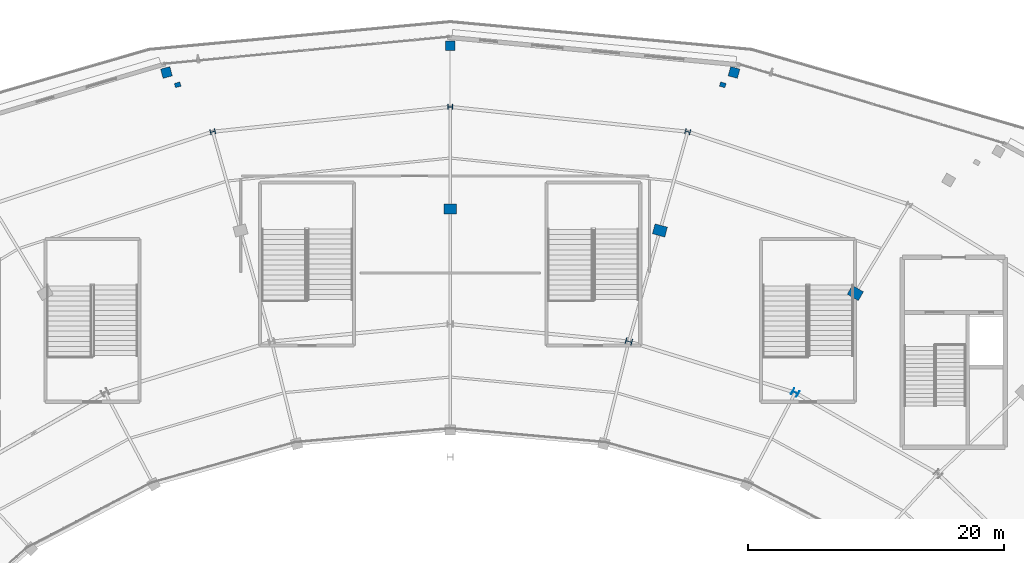
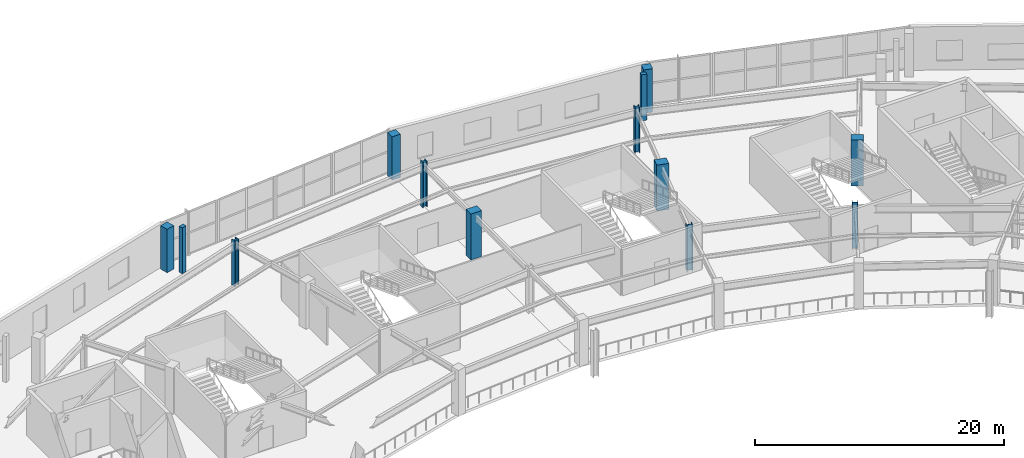
# One storey, part 9 of 107: 13 columns.
"""IFC4 building model written with IfcOpenShell, lengths in metres."""

from ifc_helpers import new_model, si_unit, direction, frame, origin, origin_2d, place, context, subcontext, project, spatial, rectangle, i_section, extrude, material, material_profile, profile_set, type_object, element, save


model = new_model("IFC4")

# Units and contexts
model_context = context("Model", 3, precision=1e-05, world=origin(), true_north=direction((0.0, 1.0)))
body_context = subcontext(model_context, "Body", "Model", "MODEL_VIEW")
ifc_project = project(units=[si_unit("LENGTHUNIT", "METRE"), si_unit("AREAUNIT", "SQUARE_METRE"), si_unit("VOLUMEUNIT", "CUBIC_METRE"), si_unit("PLANEANGLEUNIT", "RADIAN"), si_unit("MASSUNIT", "GRAM", prefix="KILO")], contexts=[model_context])

# Site, building, storey
site_placement = place(None, origin())
site = spatial("IfcSite", under=ifc_project, at=site_placement, CompositionType="ELEMENT")
building_placement = place(site_placement, origin())
building = spatial("IfcBuilding", under=site, at=building_placement, Name="Kalgoora Escarpment Arena", CompositionType="ELEMENT")
storey_placement = place(building_placement, frame((0.0, 0.0, 5.39990234375)))
storey = spatial("IfcBuildingStorey", under=building, at=storey_placement, Name="L01", CompositionType="ELEMENT", Elevation=5.39990234375)

# Columns
ifc_material_1 = material(Name="Structural steel Grade 350 (350 MPa)", Category="steel")
ifc_material_profile_1 = material_profile(ifc_material_1, i_section(OverallWidth=0.39990234375, OverallDepth=0.39990234375, WebThickness=0.01806640625, FlangeThickness=0.031982421875, at=origin_2d()))
ifc_profile_set_1 = profile_set([ifc_material_profile_1], Name="Structural steel Grade 350 (350 MPa)")
column_type_1 = type_object("IfcColumnType", Name="COL-COL-400WC270", PredefinedType="COLUMN", material=ifc_profile_set_1)
for number, where, z_axis, x_axis, name in (
    (1, (110.983154296875, 119.057861328125, 0.0), (0.0, 0.0, 1.0), (0.258819045103, 0.965925826289, 0.0), "L01 structural column COL-RCONC2-R06"),
    (2, (92.39990234375, 121.0, 0.0), (0.0, 0.0, 1.0), (0.0, 1.0, 0.0), "L01 structural column COL-RCONC2-R07"),
    (3, (73.81689453125, 119.057861328125, 0.0), (0.0, 0.0, 1.0), (-0.258819045103, 0.965925826289, 0.0), "L01 structural column COL-RCONC2-R08"),
):
    element("IfcColumn", number, at=place(storey_placement, frame(where, z_axis=z_axis, x_axis=x_axis)), inside=storey, type_object=column_type_1, Name=name, PredefinedType="COLUMN", context=body_context, shape_type="SweptSolid", body=[
        extrude(i_section(OverallWidth=0.39990234375, OverallDepth=0.39990234375, WebThickness=0.01806640625, FlangeThickness=0.031982421875, at=origin_2d()), origin(), (0.0, 0.0, 1.0), 4.5),
    ])
ifc_material_2 = material(Name="Structural steel Grade 350 (350 MPa)", Category="steel")
ifc_material_profile_2 = material_profile(ifc_material_2, i_section(OverallWidth=0.5, OverallDepth=0.5, WebThickness=0.02001953125, FlangeThickness=0.034912109375, at=origin_2d()))
ifc_profile_set_2 = profile_set([ifc_material_profile_2], Name="Structural steel Grade 350 (350 MPa)")
column_type_2 = type_object("IfcColumnType", Name="COL-COL-500WC340", PredefinedType="COLUMN", material=ifc_profile_set_2)
for number, where, z_axis, x_axis, name in (
    (4, (119.39990234375, 98.64111328125, 0.0), (0.0, 0.0, 1.0), (0.5, 0.866025403784, 0.0), "L01 structural column COL-RMAIN-R05"),
    (5, (106.376220703125, 102.636962890625, 0.0), (0.0, 0.0, 1.0), (0.258819045103, 0.965925826289, 0.0), "L01 structural column COL-RMAIN-R06"),
):
    element("IfcColumn", number, at=place(storey_placement, frame(where, z_axis=z_axis, x_axis=x_axis)), inside=storey, type_object=column_type_2, Name=name, PredefinedType="COLUMN", context=body_context, shape_type="SweptSolid", body=[
        extrude(i_section(OverallWidth=0.5, OverallDepth=0.5, WebThickness=0.02001953125, FlangeThickness=0.034912109375, at=origin_2d()), origin(), (0.0, 0.0, 1.0), 4.5),
    ])
ifc_material_3 = material(Name="Concrete N50 (fc' 50 MPa)", Category="concrete")
ifc_material_profile_3 = material_profile(ifc_material_3, rectangle(XDim=0.800048828125, YDim=1.0, at=origin_2d()))
ifc_profile_set_3 = profile_set([ifc_material_profile_3], Name="Concrete N50 (fc' 50 MPa)")
column_type_3 = type_object("IfcColumnType", Name="COL-COL-RC1000x800", PredefinedType="COLUMN", material=ifc_profile_set_3)
for number, where, z_axis, x_axis, name in (
    (6, (124.10009765625, 106.435302734375, 0.0), (0.0, 0.0, 1.0), (0.5, 0.866025403784, 0.0), "L01 structural column COL-RCONC1-R05"),
    (7, (108.80908203125, 111.330322265625, 0.0), (0.0, 0.0, 1.0), (0.258819045103, 0.965925826289, 0.0), "L01 structural column COL-RCONC1-R06"),
    (8, (92.39990234375, 113.0, 0.0), (0.0, 0.0, 1.0), (0.0, 1.0, 0.0), "L01 structural column COL-RCONC1-R07"),
):
    element("IfcColumn", number, at=place(storey_placement, frame(where, z_axis=z_axis, x_axis=x_axis)), inside=storey, type_object=column_type_3, Name=name, PredefinedType="COLUMN", context=body_context, shape_type="SweptSolid", body=[
        extrude(rectangle(XDim=0.800048828125, YDim=1.0, at=origin_2d()), origin(), (0.0, 0.0, 1.0), 4.5),
    ])
ifc_material_4 = material(Name="Concrete N50 (fc' 50 MPa)", Category="concrete")
ifc_material_profile_4 = material_profile(ifc_material_4, rectangle(XDim=0.75, YDim=0.75, at=origin_2d()))
ifc_profile_set_4 = profile_set([ifc_material_profile_4], Name="Concrete N50 (fc' 50 MPa)")
column_type_4 = type_object("IfcColumnType", Name="COL-COL-RC750x750", PredefinedType="COLUMN", material=ifc_profile_set_4)
for number, where, z_axis, x_axis, name in (
    (9, (114.606689453125, 123.694091796875, 0.0), (0.0, 0.0, 1.0), (0.258819045103, 0.965925826289, 0.0), "L01 structural column COL-RBASE2-R06"),
    (10, (92.39990234375, 125.800048828125, 0.0), (0.0, 0.0, 1.0), (0.0, 1.0, 0.0), "L01 structural column COL-RBASE2-R07"),
    (11, (70.193359375, 123.694091796875, 0.0), (0.0, 0.0, 1.0), (-0.258819045103, 0.965925826289, 0.0), "L01 structural column COL-RBASE2-R08"),
):
    element("IfcColumn", number, at=place(storey_placement, frame(where, z_axis=z_axis, x_axis=x_axis)), inside=storey, type_object=column_type_4, Name=name, PredefinedType="COLUMN", context=body_context, shape_type="SweptSolid", body=[
        extrude(rectangle(XDim=0.75, YDim=0.75, at=origin_2d()), origin(), (0.0, 0.0, 1.0), 4.25),
    ])
ifc_material_5 = material(Name="Precast concrete N50 (fc' 50 MPa)", Category="concrete")
ifc_material_profile_5 = material_profile(ifc_material_5, rectangle(XDim=0.35009765625, YDim=0.449951171875, at=origin_2d()))
ifc_profile_set_5 = profile_set([ifc_material_profile_5], Name="Precast concrete N50 (fc' 50 MPa)")
column_type_5 = type_object("IfcColumnType", Name="COL-PIL-PC-PILASTER-450x350", PredefinedType="PILASTER", material=ifc_profile_set_5)
for number, where, z_axis, x_axis, name in (
    (12, (113.72705078125, 122.72802734375, 0.0), (0.0, 0.0, 1.0), (0.258819045103, 0.965925826289, 0.0), "L01 fluted pilaster PIL-051"),
    (13, (71.072998046875, 122.72802734375, 0.0), (0.0, 0.0, 1.0), (-0.258819045103, 0.965925826289, 0.0), "L01 fluted pilaster PIL-053"),
):
    element("IfcColumn", number, at=place(storey_placement, frame(where, z_axis=z_axis, x_axis=x_axis)), inside=storey, type_object=column_type_5, Name=name, PredefinedType="PILASTER", context=body_context, shape_type="SweptSolid", body=[
        extrude(rectangle(XDim=0.35009765625, YDim=0.449951171875, at=origin_2d()), origin(), (0.0, 0.0, 1.0), 4.5),
    ])

save(model, "model.ifc")
